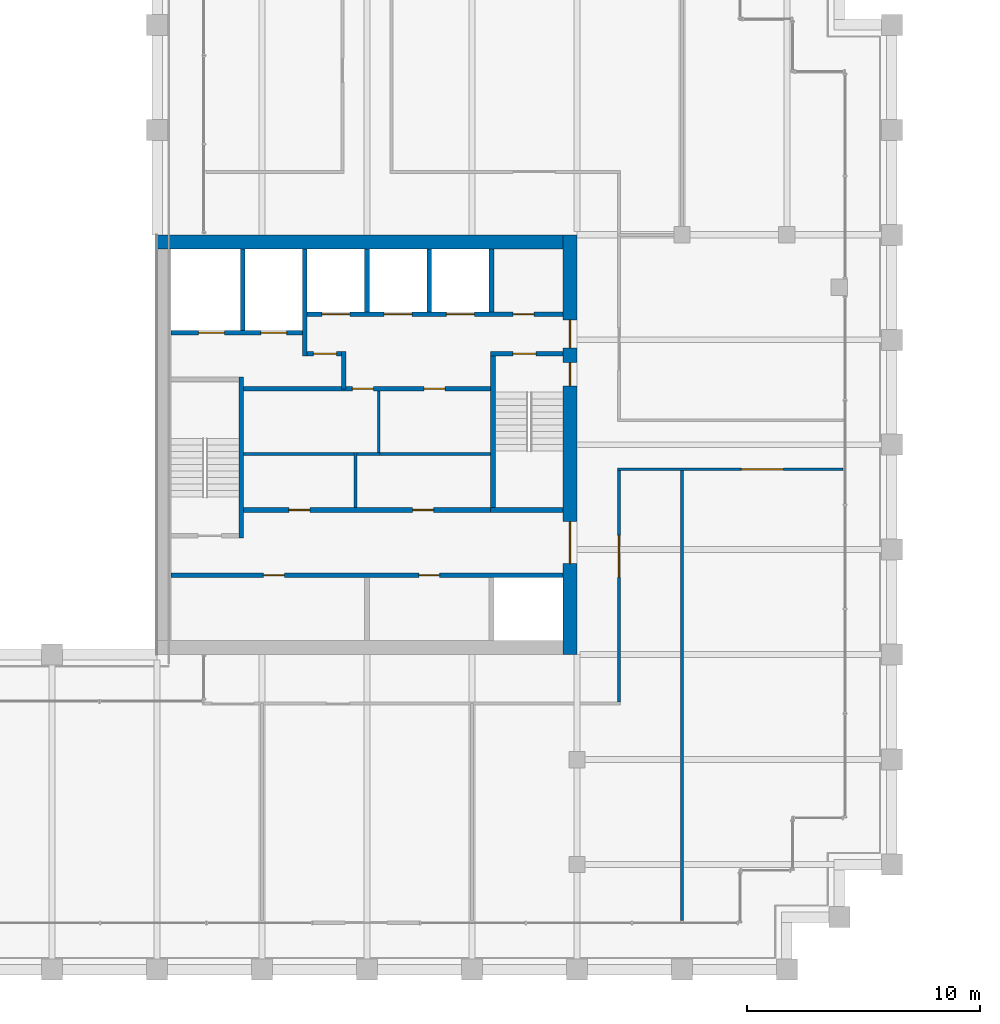
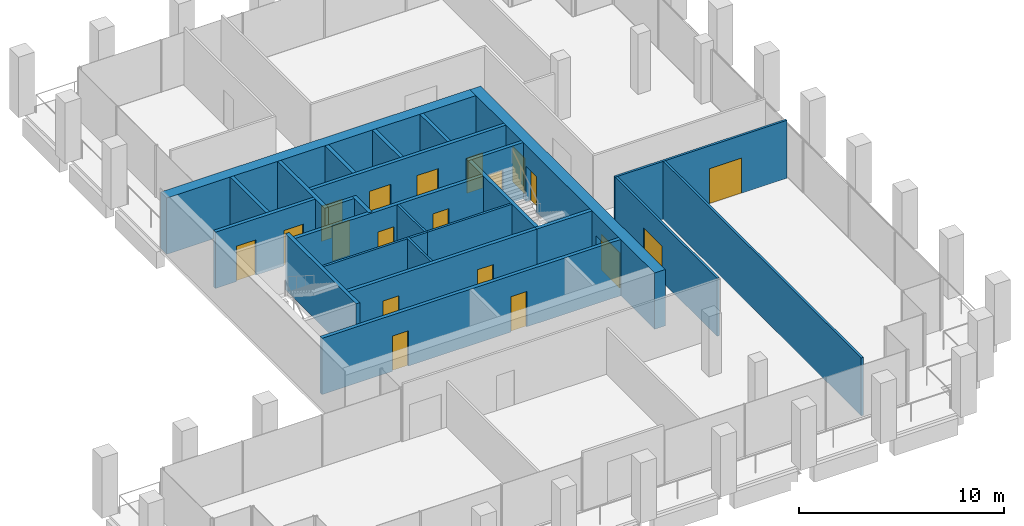
# One storey, part 36 of 40: 26 walls, 19 doors, 19 openings.
"""IFC4 building model written with IfcOpenShell, lengths in metres."""

from ifc_helpers import new_model, si_unit, direction, frame, frame_2d, origin, place, context, subcontext, project, spatial, rectangle, extrude, material, layer, layer_set, type_object, element, fill, save


model = new_model("IFC4")

# Units and contexts
model_context = context("Model", 3, precision=1e-05, world=origin(), true_north=direction((0.0, 1.0)))
body_context = subcontext(model_context, "Body", "Model", "MODEL_VIEW")
ifc_project = project(units=[si_unit("LENGTHUNIT", "METRE"), si_unit("AREAUNIT", "SQUARE_METRE"), si_unit("VOLUMEUNIT", "CUBIC_METRE"), si_unit("PLANEANGLEUNIT", "RADIAN"), si_unit("MASSUNIT", "GRAM", prefix="KILO")], contexts=[model_context])

# Site, building, storey
site_placement = place(None, origin())
site = spatial("IfcSite", under=ifc_project, at=site_placement, CompositionType="ELEMENT")
building_placement = place(site_placement, origin())
building = spatial("IfcBuilding", under=site, at=building_placement, Name="Altepetl Exchange Towers", CompositionType="ELEMENT")
storey_placement = place(building_placement, frame((0.0, 0.0, 158.199951171875)))
storey = spatial("IfcBuildingStorey", under=building, at=storey_placement, Name="L39", CompositionType="ELEMENT", Elevation=158.199951171875)

# Wall, openings, doors
ifc_material_1 = material(Name="Concrete C70/85", Category="concrete")
ifc_layer_1 = layer(ifc_material_1, 0.60009765625)
ifc_layer_set_1 = layer_set([ifc_layer_1], Name="Concrete C70/85")
wall_type_1 = type_object("IfcWallType", Name="Core wall 600 reinforced concrete", PredefinedType="SHEAR", material=ifc_layer_set_1)
wall_1_placement = place(storey_placement, frame((58.199951171875, 40.5, 0.0), z_axis=(0.0, 0.0, 1.0), x_axis=(0.0, 1.0, 0.0)))
wall_1 = element("IfcWall", 1, at=wall_1_placement, inside=storey, type_object=wall_type_1, Name="wall:A:L39:K-coreE", PredefinedType="SHEAR", context=body_context, shape_type="SweptSolid", body=[
    extrude(rectangle(XDim=18.0, YDim=0.60009765625, at=frame_2d((9.0, 0.0))), origin(), (0.0, 0.0, 1.0), 3.35009765625),
])
opening_1_placement = place(wall_1_placement, frame((13.14990234375, 0.0, 0.0)))
opening_1 = element("IfcOpeningElement", 2, at=opening_1_placement, cuts=wall_1, Name="Opening L39.A60", PredefinedType="OPENING", context=body_context, shape_type="SweptSolid", body=[
    extrude(rectangle(XDim=1.199951171875, YDim=2.10009765625, at=frame_2d((0.60009765625, 1.050048828125))), frame((0.0, 0.31005859375, 0.0), z_axis=(0.0, -1.0, 0.0), x_axis=(1.0, 0.0, 0.0)), (0.0, 0.0, 1.0), 0.6201171875),
])
opening_2_placement = place(wall_1_placement, frame((3.89990234375, 0.0, 0.0)))
opening_2 = element("IfcOpeningElement", 3, at=opening_2_placement, cuts=wall_1, Name="Opening L39.A61", PredefinedType="OPENING", context=body_context, shape_type="SweptSolid", body=[
    extrude(rectangle(XDim=1.800048828125, YDim=2.10009765625, at=frame_2d((0.89990234375, 1.050048828125))), frame((0.0, 0.31005859375, 0.0), z_axis=(0.0, -1.0, 0.0), x_axis=(1.0, 0.0, 0.0)), (0.0, 0.0, 1.0), 0.6201171875),
])
opening_3_placement = place(wall_1_placement, frame((11.52490234375, 0.0, 0.0)))
opening_3 = element("IfcOpeningElement", 4, at=opening_3_placement, cuts=wall_1, Name="Opening L39.A64", PredefinedType="OPENING", context=body_context, shape_type="SweptSolid", body=[
    extrude(rectangle(XDim=1.0, YDim=2.10009765625, at=frame_2d((0.5, 1.050048828125))), frame((0.0, 0.31005859375, 0.0), z_axis=(0.0, -1.0, 0.0), x_axis=(1.0, 0.0, 0.0)), (0.0, 0.0, 1.0), 0.6201171875),
])
ifc_material_2 = material(Name="Steel and timber fire door", Category="steel")
door_type_1 = type_object("IfcDoorType", Name="Fire door 1000 x 2100 stair and lobby", OperationType="SINGLE_SWING_LEFT", PredefinedType="DOOR", material=ifc_material_2)
door_1_placement = place(opening_3_placement, origin())
door_1 = element("IfcDoor", 5, at=door_1_placement, inside=storey, type_object=door_type_1, Name="door:A:L39:K-dS2x", OperationType="SINGLE_SWING_RIGHT", OverallHeight=2.10009765625, OverallWidth=1.0, PredefinedType="DOOR", context=body_context, shape_type="SweptSolid", body=[
    extrude(rectangle(XDim=1.0, YDim=2.10009765625, at=frame_2d((0.5, 1.050048828125))), frame((0.0, 0.02490234375, 0.0), z_axis=(0.0, -1.0, 0.0), x_axis=(1.0, 0.0, 0.0)), (0.0, 0.0, 1.0), 0.050048828125),
])
fill(opening_3, door_1)
door_type_2 = type_object("IfcDoorType", Name="Fire door 1200 x 2100 lobby entry", OperationType="SINGLE_SWING_LEFT", PredefinedType="DOOR", material=ifc_material_2)
door_2_placement = place(opening_1_placement, origin())
door_2 = element("IfcDoor", 6, at=door_2_placement, inside=storey, type_object=door_type_2, Name="door:A:L39:K-dLNE", OperationType="SINGLE_SWING_RIGHT", OverallHeight=2.10009765625, OverallWidth=1.199951171875, PredefinedType="DOOR", context=body_context, shape_type="SweptSolid", body=[
    extrude(rectangle(XDim=1.199951171875, YDim=2.10009765625, at=frame_2d((0.60009765625, 1.050048828125))), frame((0.0, 0.02490234375, 0.0), z_axis=(0.0, -1.0, 0.0), x_axis=(1.0, 0.0, 0.0)), (0.0, 0.0, 1.0), 0.050048828125),
])
fill(opening_1, door_2)
door_type_3 = type_object("IfcDoorType", Name="Fire door 1800 x 2100 lobby entry", OperationType="DOUBLE_DOOR_SINGLE_SWING", PredefinedType="DOOR", material=ifc_material_2)
door_3_placement = place(opening_2_placement, origin())
door_3 = element("IfcDoor", 7, at=door_3_placement, inside=storey, type_object=door_type_3, Name="door:A:L39:K-dLSE", OperationType="DOUBLE_DOOR_SINGLE_SWING", OverallHeight=2.10009765625, OverallWidth=1.800048828125, PredefinedType="DOOR", context=body_context, shape_type="SweptSolid", body=[
    extrude(rectangle(XDim=1.800048828125, YDim=2.10009765625, at=frame_2d((0.89990234375, 1.050048828125))), frame((0.0, 0.02490234375, 0.0), z_axis=(0.0, -1.0, 0.0), x_axis=(1.0, 0.0, 0.0)), (0.0, 0.0, 1.0), 0.050048828125),
])
fill(opening_2, door_3)

# Walls
wall_2_placement = place(storey_placement, frame((40.5, 58.199951171875, 0.0)))
element("IfcWall", 8, at=wall_2_placement, inside=storey, type_object=wall_type_1, Name="wall:A:L39:K-coreN", PredefinedType="SHEAR", context=body_context, shape_type="SweptSolid", body=[
    extrude(rectangle(XDim=17.39990234375, YDim=0.60009765625, at=frame_2d((8.699951171875, 0.0))), origin(), (0.0, 0.0, 1.0), 3.35009765625),
])
ifc_material_3 = material(Name="Concrete blockwork", Category="masonry")
ifc_layer_2 = layer(ifc_material_3, 0.199951171875)
ifc_layer_set_2 = layer_set([ifc_layer_2], Name="Concrete blockwork")
wall_type_2 = type_object("IfcWallType", Name="Lobby wall 200 blockwork", PredefinedType="PARTITIONING", material=ifc_layer_set_2)
wall_3_placement = place(storey_placement, frame((48.5, 51.89990234375, 0.0), z_axis=(0.0, 0.0, 1.0), x_axis=(0.0, 1.0, 0.0)))
element("IfcWall", 9, at=wall_3_placement, inside=storey, type_object=wall_type_2, Name="wall:A:L39:K-ffE", PredefinedType="PARTITIONING", context=body_context, shape_type="SweptSolid", body=[
    extrude(rectangle(XDim=1.60009765625, YDim=0.199951171875, at=frame_2d((0.800048828125, 0.0))), origin(), (0.0, 0.0, 1.0), 3.35009765625),
])

# Wall, opening, door
wall_4_placement = place(storey_placement, frame((46.933349609375, 53.39990234375, 0.0)))
wall_4 = element("IfcWall", 10, at=wall_4_placement, inside=storey, type_object=wall_type_2, Name="wall:A:L39:K-ffN", PredefinedType="PARTITIONING", context=body_context, shape_type="SweptSolid", body=[
    extrude(rectangle(XDim=1.466552734375, YDim=0.199951171875, at=frame_2d((0.7333984375, 0.0))), origin(), (0.0, 0.0, 1.0), 3.35009765625),
])
opening_4_placement = place(wall_4_placement, frame((0.2666015625, 0.0, 0.0)))
opening_4 = element("IfcOpeningElement", 11, at=opening_4_placement, cuts=wall_4, Name="Opening L39.A65", PredefinedType="OPENING", context=body_context, shape_type="SweptSolid", body=[
    extrude(rectangle(XDim=1.0, YDim=2.10009765625, at=frame_2d((0.5, 1.050048828125))), frame((0.0, 0.10986328125, 0.0), z_axis=(0.0, -1.0, 0.0), x_axis=(1.0, 0.0, 0.0)), (0.0, 0.0, 1.0), 0.219970703125),
])
door_4_placement = place(opening_4_placement, frame((1.0, 0.0, 0.0), x_axis=(-1.0, 0.0, 0.0)))
door_4 = element("IfcDoor", 12, at=door_4_placement, inside=storey, type_object=door_type_1, Name="door:A:L39:K-dffN", OperationType="SINGLE_SWING_RIGHT", OverallHeight=2.10009765625, OverallWidth=1.0, PredefinedType="DOOR", context=body_context, shape_type="SweptSolid", body=[
    extrude(rectangle(XDim=1.0, YDim=2.10009765625, at=frame_2d((0.5, 1.050048828125))), frame((0.0, 0.02490234375, 0.0), z_axis=(0.0, -1.0, 0.0), x_axis=(1.0, 0.0, 0.0)), (0.0, 0.0, 1.0), 0.050048828125),
])
fill(opening_4, door_4)

# Wall, openings, doors
wall_5_placement = place(storey_placement, frame((44.199951171875, 51.89990234375, 0.0)))
wall_5 = element("IfcWall", 13, at=wall_5_placement, inside=storey, type_object=wall_type_2, Name="wall:A:L39:K-zoneN", PredefinedType="PARTITIONING", context=body_context, shape_type="SweptSolid", body=[
    extrude(rectangle(XDim=10.60009765625, YDim=0.199951171875, at=frame_2d((5.300048828125, 0.0))), origin(), (0.0, 0.0, 1.0), 3.35009765625),
])
opening_5_placement = place(wall_5_placement, frame((4.675048828125, 0.0, 0.0)))
opening_5 = element("IfcOpeningElement", 14, at=opening_5_placement, cuts=wall_5, Name="Opening L39.A71", PredefinedType="OPENING", context=body_context, shape_type="SweptSolid", body=[
    extrude(rectangle(XDim=0.89990234375, YDim=2.10009765625, at=frame_2d((0.449951171875, 1.050048828125))), frame((0.0, 0.10986328125, 0.0), z_axis=(0.0, -1.0, 0.0), x_axis=(1.0, 0.0, 0.0)), (0.0, 0.0, 1.0), 0.219970703125),
])
opening_6_placement = place(wall_5_placement, frame((7.75, 0.0, 0.0)))
opening_6 = element("IfcOpeningElement", 15, at=opening_6_placement, cuts=wall_5, Name="Opening L39.A72", PredefinedType="OPENING", context=body_context, shape_type="SweptSolid", body=[
    extrude(rectangle(XDim=0.89990234375, YDim=2.10009765625, at=frame_2d((0.449951171875, 1.050048828125))), frame((0.0, 0.10986328125, 0.0), z_axis=(0.0, -1.0, 0.0), x_axis=(1.0, 0.0, 0.0)), (0.0, 0.0, 1.0), 0.219970703125),
])
door_type_4 = type_object("IfcDoorType", Name="Fire door 900 x 2100 service room", OperationType="SINGLE_SWING_LEFT", PredefinedType="DOOR", material=ifc_material_2)
door_5_placement = place(opening_5_placement, frame((0.89990234375, 0.0, 0.0), x_axis=(-1.0, 0.0, 0.0)))
door_5 = element("IfcDoor", 16, at=door_5_placement, inside=storey, type_object=door_type_4, Name="door:A:L39:K-dz3", OperationType="SINGLE_SWING_LEFT", OverallHeight=2.10009765625, OverallWidth=0.89990234375, PredefinedType="DOOR", context=body_context, shape_type="SweptSolid", body=[
    extrude(rectangle(XDim=0.89990234375, YDim=2.10009765625, at=frame_2d((0.449951171875, 1.050048828125))), frame((0.0, 0.02490234375, 0.0), z_axis=(0.0, -1.0, 0.0), x_axis=(1.0, 0.0, 0.0)), (0.0, 0.0, 1.0), 0.050048828125),
])
fill(opening_5, door_5)
door_6_placement = place(opening_6_placement, frame((0.89990234375, 0.0, 0.0), x_axis=(-1.0, 0.0, 0.0)))
door_6 = element("IfcDoor", 17, at=door_6_placement, inside=storey, type_object=door_type_4, Name="door:A:L39:K-dz4", OperationType="SINGLE_SWING_LEFT", OverallHeight=2.10009765625, OverallWidth=0.89990234375, PredefinedType="DOOR", context=body_context, shape_type="SweptSolid", body=[
    extrude(rectangle(XDim=0.89990234375, YDim=2.10009765625, at=frame_2d((0.449951171875, 1.050048828125))), frame((0.0, 0.02490234375, 0.0), z_axis=(0.0, -1.0, 0.0), x_axis=(1.0, 0.0, 0.0)), (0.0, 0.0, 1.0), 0.050048828125),
])
fill(opening_6, door_6)

wall_6_placement = place(storey_placement, frame((44.199951171875, 46.699951171875, 0.0)))
wall_6 = element("IfcWall", 18, at=wall_6_placement, inside=storey, type_object=wall_type_2, Name="wall:A:L39:K-zoneS", PredefinedType="PARTITIONING", context=body_context, shape_type="SweptSolid", body=[
    extrude(rectangle(XDim=10.60009765625, YDim=0.199951171875, at=frame_2d((5.300048828125, 0.0))), origin(), (0.0, 0.0, 1.0), 3.35009765625),
])
opening_7_placement = place(wall_6_placement, frame((1.949951171875, 0.0, 0.0)))
opening_7 = element("IfcOpeningElement", 19, at=opening_7_placement, cuts=wall_6, Name="Opening L39.A69", PredefinedType="OPENING", context=body_context, shape_type="SweptSolid", body=[
    extrude(rectangle(XDim=0.89990234375, YDim=2.10009765625, at=frame_2d((0.449951171875, 1.050048828125))), frame((0.0, 0.10986328125, 0.0), z_axis=(0.0, -1.0, 0.0), x_axis=(1.0, 0.0, 0.0)), (0.0, 0.0, 1.0), 0.219970703125),
])
opening_8_placement = place(wall_6_placement, frame((7.25, 0.0, 0.0)))
opening_8 = element("IfcOpeningElement", 20, at=opening_8_placement, cuts=wall_6, Name="Opening L39.A70", PredefinedType="OPENING", context=body_context, shape_type="SweptSolid", body=[
    extrude(rectangle(XDim=0.89990234375, YDim=2.10009765625, at=frame_2d((0.449951171875, 1.050048828125))), frame((0.0, 0.10986328125, 0.0), z_axis=(0.0, -1.0, 0.0), x_axis=(1.0, 0.0, 0.0)), (0.0, 0.0, 1.0), 0.219970703125),
])
door_7_placement = place(opening_7_placement, origin())
door_7 = element("IfcDoor", 21, at=door_7_placement, inside=storey, type_object=door_type_4, Name="door:A:L39:K-dz1", OperationType="SINGLE_SWING_LEFT", OverallHeight=2.10009765625, OverallWidth=0.89990234375, PredefinedType="DOOR", context=body_context, shape_type="SweptSolid", body=[
    extrude(rectangle(XDim=0.89990234375, YDim=2.10009765625, at=frame_2d((0.449951171875, 1.050048828125))), frame((0.0, 0.02490234375, 0.0), z_axis=(0.0, -1.0, 0.0), x_axis=(1.0, 0.0, 0.0)), (0.0, 0.0, 1.0), 0.050048828125),
])
fill(opening_7, door_7)
door_8_placement = place(opening_8_placement, origin())
door_8 = element("IfcDoor", 22, at=door_8_placement, inside=storey, type_object=door_type_4, Name="door:A:L39:K-dz2", OperationType="SINGLE_SWING_LEFT", OverallHeight=2.10009765625, OverallWidth=0.89990234375, PredefinedType="DOOR", context=body_context, shape_type="SweptSolid", body=[
    extrude(rectangle(XDim=0.89990234375, YDim=2.10009765625, at=frame_2d((0.449951171875, 1.050048828125))), frame((0.0, 0.02490234375, 0.0), z_axis=(0.0, -1.0, 0.0), x_axis=(1.0, 0.0, 0.0)), (0.0, 0.0, 1.0), 0.050048828125),
])
fill(opening_8, door_8)

# Walls
ifc_material_4 = material(Name="Gypsum board on steel studs", Category="steel")
ifc_layer_3 = layer(ifc_material_4, 0.125)
ifc_layer_set_3 = layer_set([ifc_layer_3], Name="Gypsum board on steel studs")
wall_type_3 = type_object("IfcWallType", Name="Partition 125 gypsum board on steel studs", PredefinedType="PARTITIONING", material=ifc_layer_set_3)
wall_7_placement = place(storey_placement, frame((49.0, 46.800048828125, 0.0), z_axis=(0.0, 0.0, 1.0), x_axis=(0.0, 1.0, 0.0)))
element("IfcWall", 23, at=wall_7_placement, inside=storey, type_object=wall_type_3, Name="wall:A:L39:K-zp1", PredefinedType="PARTITIONING", context=body_context, shape_type="SweptSolid", body=[
    extrude(rectangle(XDim=2.362548828125, YDim=0.125, at=frame_2d((1.18115234375, 0.0))), origin(), (0.0, 0.0, 1.0), 3.35009765625),
])
wall_8_placement = place(storey_placement, frame((49.0, 49.10009765625, 0.0), z_axis=(0.0, 0.0, 1.0), x_axis=(-1.0, 0.0, 0.0)))
element("IfcWall", 24, at=wall_8_placement, inside=storey, type_object=wall_type_3, Name="wall:A:L39:K-zp2", PredefinedType="PARTITIONING", context=body_context, shape_type="SweptSolid", body=[
    extrude(rectangle(XDim=4.800048828125, YDim=0.125, at=frame_2d((2.39990234375, 0.0))), origin(), (0.0, 0.0, 1.0), 3.35009765625),
])
wall_9_placement = place(storey_placement, frame((50.0625, 49.10009765625, 0.0), z_axis=(0.0, 0.0, 1.0), x_axis=(-1.0, 0.0, 0.0)))
element("IfcWall", 25, at=wall_9_placement, inside=storey, type_object=wall_type_3, Name="wall:A:L39:K-zp3", PredefinedType="PARTITIONING", context=body_context, shape_type="SweptSolid", body=[
    extrude(rectangle(XDim=1.0, YDim=0.125, at=frame_2d((0.5, 0.0))), origin(), (0.0, 0.0, 1.0), 3.35009765625),
])
wall_10_placement = place(storey_placement, frame((54.800048828125, 49.10009765625, 0.0), z_axis=(0.0, 0.0, 1.0), x_axis=(-1.0, 0.0, 0.0)))
element("IfcWall", 26, at=wall_10_placement, inside=storey, type_object=wall_type_3, Name="wall:A:L39:K-zp4", PredefinedType="PARTITIONING", context=body_context, shape_type="SweptSolid", body=[
    extrude(rectangle(XDim=4.800048828125, YDim=0.125, at=frame_2d((2.39990234375, 0.0))), origin(), (0.0, 0.0, 1.0), 3.35009765625),
])
wall_11_placement = place(storey_placement, frame((50.0, 49.16259765625, 0.0), z_axis=(0.0, 0.0, 1.0), x_axis=(0.0, 1.0, 0.0)))
element("IfcWall", 27, at=wall_11_placement, inside=storey, type_object=wall_type_3, Name="wall:A:L39:K-zp5", PredefinedType="PARTITIONING", context=body_context, shape_type="SweptSolid", body=[
    extrude(rectangle(XDim=2.637451171875, YDim=0.125, at=frame_2d((1.31884765625, 0.0))), origin(), (0.0, 0.0, 1.0), 3.35009765625),
])

# Wall, opening, door
wall_12_placement = place(storey_placement, frame((60.237548828125, 48.449951171875, 0.0)))
wall_12 = element("IfcWall", 28, at=wall_12_placement, inside=storey, type_object=wall_type_3, Name="wall:A:L39:P02", PredefinedType="PARTITIONING", context=body_context, shape_type="SweptSolid", body=[
    extrude(rectangle(XDim=9.662353515625, YDim=0.125, at=frame_2d((4.8310546875, 0.0))), origin(), (0.0, 0.0, 1.0), 3.449951171875),
])
opening_9_placement = place(wall_12_placement, frame((5.3125, 0.0, 0.0)))
opening_9 = element("IfcOpeningElement", 29, at=opening_9_placement, cuts=wall_12, Name="Opening L39.A04", PredefinedType="OPENING", context=body_context, shape_type="SweptSolid", body=[
    extrude(rectangle(XDim=1.800048828125, YDim=2.10009765625, at=frame_2d((0.89990234375, 1.050048828125))), frame((0.0, 0.072509765625, 0.0), z_axis=(0.0, -1.0, 0.0), x_axis=(1.0, 0.0, 0.0)), (0.0, 0.0, 1.0), 0.14501953125),
])
door_type_5 = type_object("IfcDoorType", Name="Fire door 1800 x 2100 double leaf", OperationType="DOUBLE_DOOR_SINGLE_SWING", PredefinedType="DOOR", material=ifc_material_2)
door_9_placement = place(opening_9_placement, frame((1.800048828125, 0.0, 0.0), x_axis=(-1.0, 0.0, 0.0)))
door_9 = element("IfcDoor", 30, at=door_9_placement, inside=storey, type_object=door_type_5, Name="door:A:L39:04", OperationType="DOUBLE_DOOR_SINGLE_SWING", OverallHeight=2.10009765625, OverallWidth=1.800048828125, PredefinedType="DOOR", context=body_context, shape_type="SweptSolid", body=[
    extrude(rectangle(XDim=1.800048828125, YDim=2.10009765625, at=frame_2d((0.89990234375, 1.050048828125))), frame((0.0, 0.02490234375, 0.0), z_axis=(0.0, -1.0, 0.0), x_axis=(1.0, 0.0, 0.0)), (0.0, 0.0, 1.0), 0.050048828125),
])
fill(opening_9, door_9)

wall_13_placement = place(storey_placement, frame((60.300048828125, 38.46240234375, 0.0), z_axis=(0.0, 0.0, 1.0), x_axis=(0.0, 1.0, 0.0)))
wall_13 = element("IfcWall", 31, at=wall_13_placement, inside=storey, type_object=wall_type_3, Name="wall:A:L39:P11", PredefinedType="PARTITIONING", context=body_context, shape_type="SweptSolid", body=[
    extrude(rectangle(XDim=9.925048828125, YDim=0.125, at=frame_2d((4.96240234375, 0.0))), origin(), (0.0, 0.0, 1.0), 3.449951171875),
])
opening_10_placement = place(wall_13_placement, frame((5.348388671875, 0.0, 0.0)))
opening_10 = element("IfcOpeningElement", 32, at=opening_10_placement, cuts=wall_13, Name="Opening L39.A03", PredefinedType="OPENING", context=body_context, shape_type="SweptSolid", body=[
    extrude(rectangle(XDim=1.800048828125, YDim=2.10009765625, at=frame_2d((0.89990234375, 1.050048828125))), frame((0.0, 0.072509765625, 0.0), z_axis=(0.0, -1.0, 0.0), x_axis=(1.0, 0.0, 0.0)), (0.0, 0.0, 1.0), 0.14501953125),
])
door_10_placement = place(opening_10_placement, frame((1.800048828125, 0.0, 0.0), x_axis=(-1.0, 0.0, 0.0)))
door_10 = element("IfcDoor", 33, at=door_10_placement, inside=storey, type_object=door_type_5, Name="door:A:L39:03", OperationType="DOUBLE_DOOR_SINGLE_SWING", OverallHeight=2.10009765625, OverallWidth=1.800048828125, PredefinedType="DOOR", context=body_context, shape_type="SweptSolid", body=[
    extrude(rectangle(XDim=1.800048828125, YDim=2.10009765625, at=frame_2d((0.89990234375, 1.050048828125))), frame((0.0, 0.02490234375, 0.0), z_axis=(0.0, -1.0, 0.0), x_axis=(1.0, 0.0, 0.0)), (0.0, 0.0, 1.0), 0.050048828125),
])
fill(opening_10, door_10)

# Walls
wall_14_placement = place(storey_placement, frame((63.0, 29.10009765625, 0.0), z_axis=(0.0, 0.0, 1.0), x_axis=(0.0, 1.0, 0.0)))
element("IfcWall", 34, at=wall_14_placement, inside=storey, type_object=wall_type_3, Name="wall:A:L39:P13", PredefinedType="PARTITIONING", context=body_context, shape_type="SweptSolid", body=[
    extrude(rectangle(XDim=19.349853515625, YDim=0.125, at=frame_2d((9.6748046875, 0.0))), origin(), (0.0, 0.0, 1.0), 3.449951171875),
])
ifc_material_5 = material(Name="Concrete C40/50", Category="concrete")
ifc_layer_4 = layer(ifc_material_5, 0.199951171875)
ifc_layer_set_4 = layer_set([ifc_layer_4], Name="Concrete C40/50")
wall_type_4 = type_object("IfcWallType", Name="Shaft wall 200 reinforced concrete", PredefinedType="SHEAR", material=ifc_layer_set_4)
wall_15_placement = place(storey_placement, frame((44.166748046875, 57.89990234375, 0.0), z_axis=(0.0, 0.0, 1.0), x_axis=(0.0, -1.0, 0.0)))
element("IfcWall", 35, at=wall_15_placement, inside=storey, type_object=wall_type_4, Name="wall:A:L39:K-divN1", PredefinedType="SHEAR", context=body_context, shape_type="SweptSolid", body=[
    extrude(rectangle(XDim=3.5, YDim=0.199951171875, at=frame_2d((1.75, 0.0))), origin(), (0.0, 0.0, 1.0), 3.35009765625),
])
wall_16_placement = place(storey_placement, frame((46.833251953125, 57.89990234375, 0.0), z_axis=(0.0, 0.0, 1.0), x_axis=(0.0, -1.0, 0.0)))
element("IfcWall", 36, at=wall_16_placement, inside=storey, type_object=wall_type_4, Name="wall:A:L39:K-divN2", PredefinedType="SHEAR", context=body_context, shape_type="SweptSolid", body=[
    extrude(rectangle(XDim=4.599853515625, YDim=0.199951171875, at=frame_2d((2.2998046875, 0.0))), origin(), (0.0, 0.0, 1.0), 3.35009765625),
])
for number, where, z_axis, x_axis, name in (
    (37, (49.5, 57.89990234375, 0.0), (0.0, 0.0, 1.0), (0.0, -1.0, 0.0), "wall:A:L39:K-divN3"),
    (38, (52.166748046875, 57.89990234375, 0.0), (0.0, 0.0, 1.0), (0.0, -1.0, 0.0), "wall:A:L39:K-divN4"),
    (39, (54.833251953125, 57.89990234375, 0.0), (0.0, 0.0, 1.0), (0.0, -1.0, 0.0), "wall:A:L39:K-divN5"),
):
    element("IfcWall", number, at=place(storey_placement, frame(where, z_axis=z_axis, x_axis=x_axis)), inside=storey, type_object=wall_type_4, Name=name, PredefinedType="SHEAR", context=body_context, shape_type="SweptSolid", body=[
        extrude(rectangle(XDim=2.699951171875, YDim=0.199951171875, at=frame_2d((1.35009765625, 0.0))), origin(), (0.0, 0.0, 1.0), 3.35009765625),
    ])

# Wall, openings, doors
wall_17_placement = place(storey_placement, frame((46.933349609375, 55.10009765625, 0.0)))
wall_17 = element("IfcWall", 40, at=wall_17_placement, inside=storey, type_object=wall_type_4, Name="wall:A:L39:K-frontNb", PredefinedType="SHEAR", context=body_context, shape_type="SweptSolid", body=[
    extrude(rectangle(XDim=10.966552734375, YDim=0.199951171875, at=frame_2d((5.4833984375, 0.0))), origin(), (0.0, 0.0, 1.0), 3.35009765625),
])
opening_11_placement = place(wall_17_placement, frame((8.83349609375, 0.0, 0.0)))
opening_11 = element("IfcOpeningElement", 41, at=opening_11_placement, cuts=wall_17, Name="Opening L39.A66", PredefinedType="OPENING", context=body_context, shape_type="SweptSolid", body=[
    extrude(rectangle(XDim=0.89990234375, YDim=2.10009765625, at=frame_2d((0.449951171875, 1.050048828125))), frame((0.0, 0.10986328125, 0.0), z_axis=(0.0, -1.0, 0.0), x_axis=(1.0, 0.0, 0.0)), (0.0, 0.0, 1.0), 0.219970703125),
])
opening_12_placement = place(wall_17_placement, frame((0.63330078125, 0.0, 0.0)))
opening_12 = element("IfcOpeningElement", 42, at=opening_12_placement, cuts=wall_17, Name="Opening L39.A75", PredefinedType="OPENING", context=body_context, shape_type="SweptSolid", body=[
    extrude(rectangle(XDim=1.199951171875, YDim=2.10009765625, at=frame_2d((0.60009765625, 1.050048828125))), frame((0.0, 0.10986328125, 0.0), z_axis=(0.0, -1.0, 0.0), x_axis=(1.0, 0.0, 0.0)), (0.0, 0.0, 1.0), 0.219970703125),
])
opening_13_placement = place(wall_17_placement, frame((3.300048828125, 0.0, 0.0)))
opening_13 = element("IfcOpeningElement", 43, at=opening_13_placement, cuts=wall_17, Name="Opening L39.A76", PredefinedType="OPENING", context=body_context, shape_type="SweptSolid", body=[
    extrude(rectangle(XDim=1.199951171875, YDim=2.10009765625, at=frame_2d((0.60009765625, 1.050048828125))), frame((0.0, 0.10986328125, 0.0), z_axis=(0.0, -1.0, 0.0), x_axis=(1.0, 0.0, 0.0)), (0.0, 0.0, 1.0), 0.219970703125),
])
opening_14_placement = place(wall_17_placement, frame((5.966796875, 0.0, 0.0)))
opening_14 = element("IfcOpeningElement", 44, at=opening_14_placement, cuts=wall_17, Name="Opening L39.A77", PredefinedType="OPENING", context=body_context, shape_type="SweptSolid", body=[
    extrude(rectangle(XDim=1.199951171875, YDim=2.10009765625, at=frame_2d((0.60009765625, 1.050048828125))), frame((0.0, 0.10986328125, 0.0), z_axis=(0.0, -1.0, 0.0), x_axis=(1.0, 0.0, 0.0)), (0.0, 0.0, 1.0), 0.219970703125),
])
door_11_placement = place(opening_11_placement, origin())
door_11 = element("IfcDoor", 45, at=door_11_placement, inside=storey, type_object=door_type_4, Name="door:A:L39:K-driser", OperationType="SINGLE_SWING_RIGHT", OverallHeight=2.10009765625, OverallWidth=0.89990234375, PredefinedType="DOOR", context=body_context, shape_type="SweptSolid", body=[
    extrude(rectangle(XDim=0.89990234375, YDim=2.10009765625, at=frame_2d((0.449951171875, 1.050048828125))), frame((0.0, 0.02490234375, 0.0), z_axis=(0.0, -1.0, 0.0), x_axis=(1.0, 0.0, 0.0)), (0.0, 0.0, 1.0), 0.050048828125),
])
fill(opening_11, door_11)
ifc_material_6 = material(Name="Stainless steel", Category="steel")
door_type_6 = type_object("IfcDoorType", Name="Lift landing door 1200 x 2100", OperationType="SLIDING_TO_LEFT", PredefinedType="DOOR", material=ifc_material_6)
door_12_placement = place(opening_12_placement, origin())
door_12 = element("IfcDoor", 46, at=door_12_placement, inside=storey, type_object=door_type_6, Name="Landing door P5", OperationType="SLIDING_TO_LEFT", OverallHeight=2.10009765625, OverallWidth=1.199951171875, PredefinedType="DOOR", context=body_context, shape_type="SweptSolid", body=[
    extrude(rectangle(XDim=1.199951171875, YDim=2.10009765625, at=frame_2d((0.60009765625, 1.050048828125))), frame((0.0, 0.02490234375, 0.0), z_axis=(0.0, -1.0, 0.0), x_axis=(1.0, 0.0, 0.0)), (0.0, 0.0, 1.0), 0.050048828125),
])
fill(opening_12, door_12)
door_13_placement = place(opening_13_placement, origin())
door_13 = element("IfcDoor", 47, at=door_13_placement, inside=storey, type_object=door_type_6, Name="Landing door P6", OperationType="SLIDING_TO_LEFT", OverallHeight=2.10009765625, OverallWidth=1.199951171875, PredefinedType="DOOR", context=body_context, shape_type="SweptSolid", body=[
    extrude(rectangle(XDim=1.199951171875, YDim=2.10009765625, at=frame_2d((0.60009765625, 1.050048828125))), frame((0.0, 0.02490234375, 0.0), z_axis=(0.0, -1.0, 0.0), x_axis=(1.0, 0.0, 0.0)), (0.0, 0.0, 1.0), 0.050048828125),
])
fill(opening_13, door_13)
door_14_placement = place(opening_14_placement, origin())
door_14 = element("IfcDoor", 48, at=door_14_placement, inside=storey, type_object=door_type_6, Name="Landing door P7", OperationType="SLIDING_TO_LEFT", OverallHeight=2.10009765625, OverallWidth=1.199951171875, PredefinedType="DOOR", context=body_context, shape_type="SweptSolid", body=[
    extrude(rectangle(XDim=1.199951171875, YDim=2.10009765625, at=frame_2d((0.60009765625, 1.050048828125))), frame((0.0, 0.02490234375, 0.0), z_axis=(0.0, -1.0, 0.0), x_axis=(1.0, 0.0, 0.0)), (0.0, 0.0, 1.0), 0.050048828125),
])
fill(opening_14, door_14)

wall_18_placement = place(storey_placement, frame((41.10009765625, 54.300048828125, 0.0)))
wall_18 = element("IfcWall", 49, at=wall_18_placement, inside=storey, type_object=wall_type_4, Name="wall:A:L39:K-frontNd", PredefinedType="SHEAR", context=body_context, shape_type="SweptSolid", body=[
    extrude(rectangle(XDim=5.63330078125, YDim=0.199951171875, at=frame_2d((2.816650390625, 0.0))), origin(), (0.0, 0.0, 1.0), 3.35009765625),
])
opening_15_placement = place(wall_18_placement, frame((1.183349609375, 0.0, 0.0)))
opening_15 = element("IfcOpeningElement", 50, at=opening_15_placement, cuts=wall_18, Name="Opening L39.A73", PredefinedType="OPENING", context=body_context, shape_type="SweptSolid", body=[
    extrude(rectangle(XDim=1.10009765625, YDim=2.10009765625, at=frame_2d((0.550048828125, 1.050048828125))), frame((0.0, 0.10986328125, 0.0), z_axis=(0.0, -1.0, 0.0), x_axis=(1.0, 0.0, 0.0)), (0.0, 0.0, 1.0), 0.219970703125),
])
opening_16_placement = place(wall_18_placement, frame((3.85009765625, 0.0, 0.0)))
opening_16 = element("IfcOpeningElement", 51, at=opening_16_placement, cuts=wall_18, Name="Opening L39.A74", PredefinedType="OPENING", context=body_context, shape_type="SweptSolid", body=[
    extrude(rectangle(XDim=1.10009765625, YDim=2.10009765625, at=frame_2d((0.550048828125, 1.050048828125))), frame((0.0, 0.10986328125, 0.0), z_axis=(0.0, -1.0, 0.0), x_axis=(1.0, 0.0, 0.0)), (0.0, 0.0, 1.0), 0.219970703125),
])
door_type_7 = type_object("IfcDoorType", Name="Lift landing door 1100 x 2100", OperationType="SLIDING_TO_LEFT", PredefinedType="DOOR", material=ifc_material_6)
door_15_placement = place(opening_15_placement, origin())
door_15 = element("IfcDoor", 52, at=door_15_placement, inside=storey, type_object=door_type_7, Name="Landing door FFL1", OperationType="SLIDING_TO_LEFT", OverallHeight=2.10009765625, OverallWidth=1.10009765625, PredefinedType="DOOR", context=body_context, shape_type="SweptSolid", body=[
    extrude(rectangle(XDim=1.10009765625, YDim=2.10009765625, at=frame_2d((0.550048828125, 1.050048828125))), frame((0.0, 0.02490234375, 0.0), z_axis=(0.0, -1.0, 0.0), x_axis=(1.0, 0.0, 0.0)), (0.0, 0.0, 1.0), 0.050048828125),
])
fill(opening_15, door_15)
door_16_placement = place(opening_16_placement, origin())
door_16 = element("IfcDoor", 53, at=door_16_placement, inside=storey, type_object=door_type_7, Name="Landing door FFL2", OperationType="SLIDING_TO_LEFT", OverallHeight=2.10009765625, OverallWidth=1.10009765625, PredefinedType="DOOR", context=body_context, shape_type="SweptSolid", body=[
    extrude(rectangle(XDim=1.10009765625, YDim=2.10009765625, at=frame_2d((0.550048828125, 1.050048828125))), frame((0.0, 0.02490234375, 0.0), z_axis=(0.0, -1.0, 0.0), x_axis=(1.0, 0.0, 0.0)), (0.0, 0.0, 1.0), 0.050048828125),
])
fill(opening_16, door_16)

wall_19_placement = place(storey_placement, frame((41.10009765625, 43.89990234375, 0.0)))
wall_19 = element("IfcWall", 54, at=wall_19_placement, inside=storey, type_object=wall_type_4, Name="wall:A:L39:K-frontS", PredefinedType="SHEAR", context=body_context, shape_type="SweptSolid", body=[
    extrude(rectangle(XDim=16.7998046875, YDim=0.199951171875, at=frame_2d((8.39990234375, 0.0))), origin(), (0.0, 0.0, 1.0), 3.35009765625),
])
opening_17_placement = place(wall_19_placement, frame((3.949951171875, 0.0, 0.0)))
opening_17 = element("IfcOpeningElement", 55, at=opening_17_placement, cuts=wall_19, Name="Opening L39.A67", PredefinedType="OPENING", context=body_context, shape_type="SweptSolid", body=[
    extrude(rectangle(XDim=0.89990234375, YDim=2.10009765625, at=frame_2d((0.449951171875, 1.050048828125))), frame((0.0, 0.10986328125, 0.0), z_axis=(0.0, -1.0, 0.0), x_axis=(1.0, 0.0, 0.0)), (0.0, 0.0, 1.0), 0.219970703125),
])
opening_18_placement = place(wall_19_placement, frame((10.61669921875, 0.0, 0.0)))
opening_18 = element("IfcOpeningElement", 56, at=opening_18_placement, cuts=wall_19, Name="Opening L39.A68", PredefinedType="OPENING", context=body_context, shape_type="SweptSolid", body=[
    extrude(rectangle(XDim=0.89990234375, YDim=2.10009765625, at=frame_2d((0.449951171875, 1.050048828125))), frame((0.0, 0.10986328125, 0.0), z_axis=(0.0, -1.0, 0.0), x_axis=(1.0, 0.0, 0.0)), (0.0, 0.0, 1.0), 0.219970703125),
])
door_17_placement = place(opening_17_placement, frame((0.89990234375, 0.0, 0.0), x_axis=(-1.0, 0.0, 0.0)))
door_17 = element("IfcDoor", 57, at=door_17_placement, inside=storey, type_object=door_type_4, Name="door:A:L39:K-dslotS0", OperationType="SINGLE_SWING_LEFT", OverallHeight=2.10009765625, OverallWidth=0.89990234375, PredefinedType="DOOR", context=body_context, shape_type="SweptSolid", body=[
    extrude(rectangle(XDim=0.89990234375, YDim=2.10009765625, at=frame_2d((0.449951171875, 1.050048828125))), frame((0.0, 0.02490234375, 0.0), z_axis=(0.0, -1.0, 0.0), x_axis=(1.0, 0.0, 0.0)), (0.0, 0.0, 1.0), 0.050048828125),
])
fill(opening_17, door_17)
door_18_placement = place(opening_18_placement, frame((0.89990234375, 0.0, 0.0), x_axis=(-1.0, 0.0, 0.0)))
door_18 = element("IfcDoor", 58, at=door_18_placement, inside=storey, type_object=door_type_4, Name="door:A:L39:K-dslotS3", OperationType="SINGLE_SWING_LEFT", OverallHeight=2.10009765625, OverallWidth=0.89990234375, PredefinedType="DOOR", context=body_context, shape_type="SweptSolid", body=[
    extrude(rectangle(XDim=0.89990234375, YDim=2.10009765625, at=frame_2d((0.449951171875, 1.050048828125))), frame((0.0, 0.02490234375, 0.0), z_axis=(0.0, -1.0, 0.0), x_axis=(1.0, 0.0, 0.0)), (0.0, 0.0, 1.0), 0.050048828125),
])
fill(opening_18, door_18)

# Wall
ifc_layer_5 = layer(ifc_material_5, 0.199951171875)
ifc_layer_set_5 = layer_set([ifc_layer_5], Name="Concrete C40/50")
wall_type_5 = type_object("IfcWallType", Name="Stair wall 200 reinforced concrete", PredefinedType="SHEAR", material=ifc_layer_set_5)
wall_20_placement = place(storey_placement, frame((44.10009765625, 45.5, 0.0), z_axis=(0.0, 0.0, 1.0), x_axis=(0.0, 1.0, 0.0)))
element("IfcWall", 59, at=wall_20_placement, inside=storey, type_object=wall_type_5, Name="wall:A:L39:K-stS1E", PredefinedType="SHEAR", context=body_context, shape_type="SweptSolid", body=[
    extrude(rectangle(XDim=6.89990234375, YDim=0.199951171875, at=frame_2d((3.449951171875, 0.0))), origin(), (0.0, 0.0, 1.0), 3.35009765625),
])

# Wall, opening, door
wall_21_placement = place(storey_placement, frame((54.800048828125, 53.39990234375, 0.0)))
wall_21 = element("IfcWall", 60, at=wall_21_placement, inside=storey, type_object=wall_type_5, Name="wall:A:L39:K-stS2N", PredefinedType="SHEAR", context=body_context, shape_type="SweptSolid", body=[
    extrude(rectangle(XDim=3.099853515625, YDim=0.199951171875, at=frame_2d((1.5498046875, 0.0))), origin(), (0.0, 0.0, 1.0), 3.35009765625),
])
opening_19_placement = place(wall_21_placement, frame((0.949951171875, 0.0, 0.0)))
opening_19 = element("IfcOpeningElement", 61, at=opening_19_placement, cuts=wall_21, Name="Opening L39.A63", PredefinedType="OPENING", context=body_context, shape_type="SweptSolid", body=[
    extrude(rectangle(XDim=1.0, YDim=2.10009765625, at=frame_2d((0.5, 1.050048828125))), frame((0.0, 0.10986328125, 0.0), z_axis=(0.0, -1.0, 0.0), x_axis=(1.0, 0.0, 0.0)), (0.0, 0.0, 1.0), 0.219970703125),
])
door_19_placement = place(opening_19_placement, frame((1.0, 0.0, 0.0), x_axis=(-1.0, 0.0, 0.0)))
door_19 = element("IfcDoor", 62, at=door_19_placement, inside=storey, type_object=door_type_1, Name="door:A:L39:K-dS2in", OperationType="SINGLE_SWING_LEFT", OverallHeight=2.10009765625, OverallWidth=1.0, PredefinedType="DOOR", context=body_context, shape_type="SweptSolid", body=[
    extrude(rectangle(XDim=1.0, YDim=2.10009765625, at=frame_2d((0.5, 1.050048828125))), frame((0.0, 0.02490234375, 0.0), z_axis=(0.0, -1.0, 0.0), x_axis=(1.0, 0.0, 0.0)), (0.0, 0.0, 1.0), 0.050048828125),
])
fill(opening_19, door_19)

# Walls
wall_22_placement = place(storey_placement, frame((54.800048828125, 46.699951171875, 0.0)))
element("IfcWall", 63, at=wall_22_placement, inside=storey, type_object=wall_type_5, Name="wall:A:L39:K-stS2S", PredefinedType="SHEAR", context=body_context, shape_type="SweptSolid", body=[
    extrude(rectangle(XDim=3.099853515625, YDim=0.199951171875, at=frame_2d((1.5498046875, 0.0))), origin(), (0.0, 0.0, 1.0), 3.35009765625),
])
wall_23_placement = place(storey_placement, frame((54.89990234375, 46.800048828125, 0.0), z_axis=(0.0, 0.0, 1.0), x_axis=(0.0, 1.0, 0.0)))
element("IfcWall", 64, at=wall_23_placement, inside=storey, type_object=wall_type_5, Name="wall:A:L39:K-stS2W", PredefinedType="SHEAR", context=body_context, shape_type="SweptSolid", body=[
    extrude(rectangle(XDim=6.5, YDim=0.199951171875, at=frame_2d((3.25, 0.0))), origin(), (0.0, 0.0, 1.0), 3.35009765625),
])

save(model, "model.ifc")
